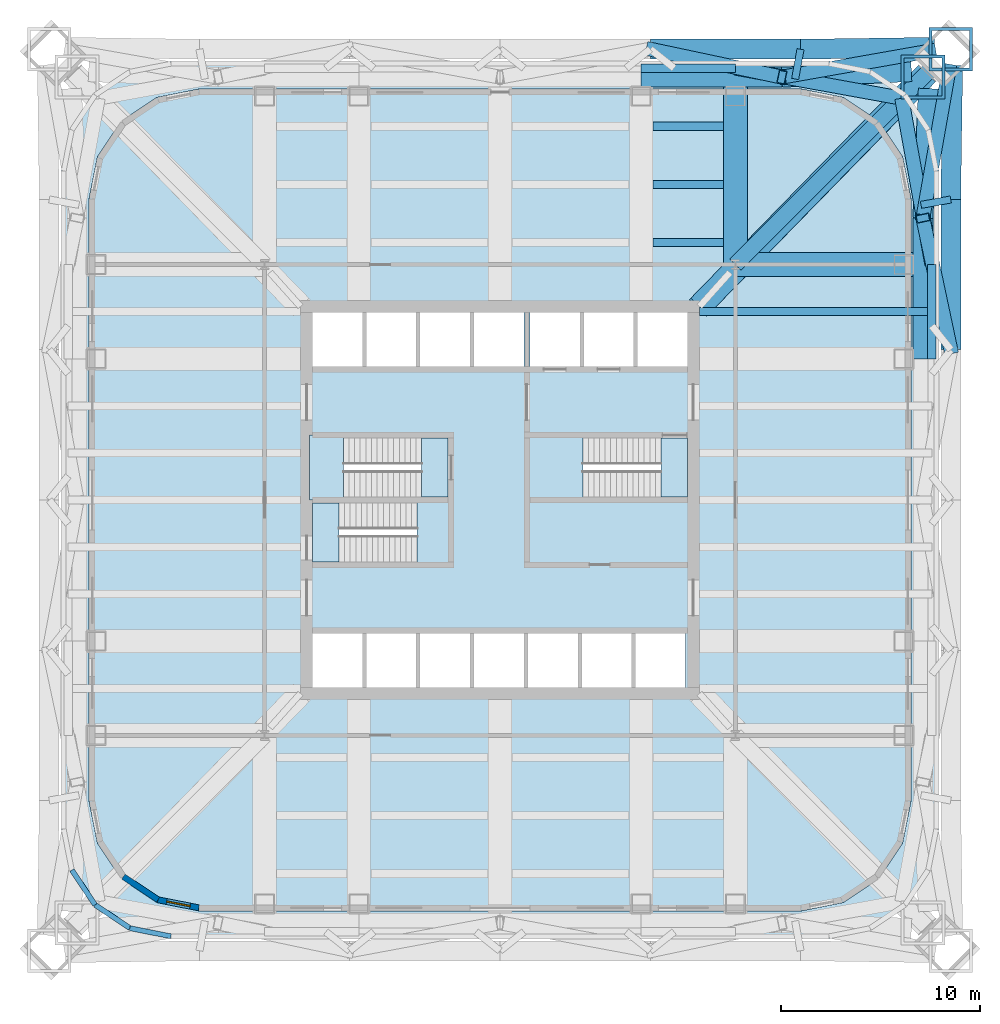
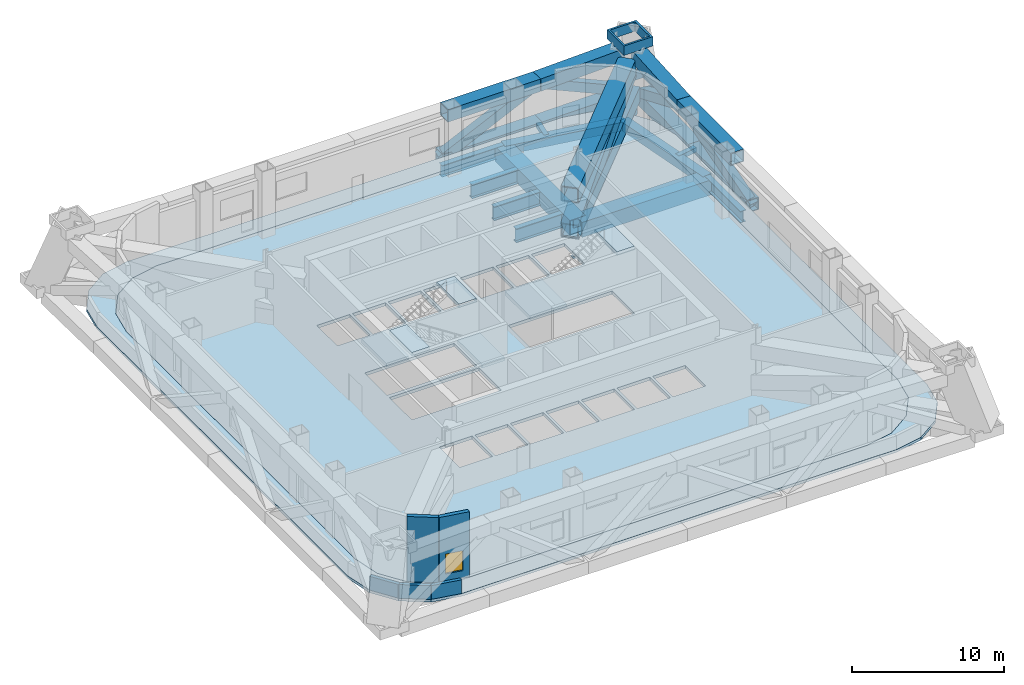
# One storey, part 4 of 9: 23 beams, 8 slabs, 7 members, 5 walls, 1 window, 1 opening, 3 elements without a shape of their own.
"""IFC4 building model written with IfcOpenShell, lengths in metres."""

from ifc_helpers import new_model, si_unit, direction, frame, frame_2d, origin, origin_2d, place, context, subcontext, project, spatial, polyline, rectangle, hollow_rectangle, i_section, outline, extrude, material, layer, layer_set, material_profile, profile_set, type_object, element, fill, aggregate, save


model = new_model("IFC4")

# Units and contexts
model_context = context("Model", 3, precision=1e-05, world=origin(), true_north=direction((0.0, 1.0)))
body_context = subcontext(model_context, "Body", "Model", "MODEL_VIEW")
ifc_project = project(units=[si_unit("LENGTHUNIT", "METRE"), si_unit("AREAUNIT", "SQUARE_METRE"), si_unit("VOLUMEUNIT", "CUBIC_METRE"), si_unit("PLANEANGLEUNIT", "RADIAN"), si_unit("MASSUNIT", "GRAM", prefix="KILO")], contexts=[model_context])

# Site, building, storey
site_placement = place(None, origin())
site = spatial("IfcSite", under=ifc_project, at=site_placement, CompositionType="ELEMENT")
building_placement = place(site_placement, origin())
building = spatial("IfcBuilding", under=site, at=building_placement, Name="Turquesa Mirador Hotel Tower", CompositionType="ELEMENT")
storey_placement = place(building_placement, frame((0.0, 0.0, 88.0)))
storey = spatial("IfcBuildingStorey", under=building, at=storey_placement, Name="L23", CompositionType="ELEMENT", Elevation=88.0)

# Beams
ifc_material_1 = material(Name="Steel ASTM A572 Grade 50", Category="steel")
ifc_material_profile_1 = material_profile(ifc_material_1, hollow_rectangle(XDim=1.199951171875, YDim=1.199951171875, WallThickness=0.06005859375, at=origin_2d()), Name="BOX1200X1200X60")
ifc_profile_set_1 = profile_set([ifc_material_profile_1], Name="Steel ASTM A572 Grade 50")
beam_type_1 = type_object("IfcBeamType", Name="BEAM BOX1200X1200X60", PredefinedType="BEAM", material=ifc_profile_set_1)
for number, where, z_axis, x_axis, name in (
    (1, (66.800048828125, 66.64990234375, -0.85009765625), (0.0, -1.0, 0.0), (1.0, 0.0, 0.0), "GK-L23-N-+11.80"),
    (2, (76.64990234375, 56.800048828125, -0.85009765625), (-1.0, 0.0, 0.0), (0.0, -1.0, 0.0), "GK-L23-E-+11.80"),
):
    element("IfcBeam", number, at=place(storey_placement, frame(where, z_axis=z_axis, x_axis=x_axis)), inside=storey, type_object=beam_type_1, Name=name, PredefinedType="BEAM", context=body_context, shape_type="SweptSolid", body=[
        extrude(hollow_rectangle(XDim=1.199951171875, YDim=1.199951171875, WallThickness=0.06005859375, at=origin_2d()), origin(), (0.0, 0.0, 1.0), 9.849853515625),
    ])
ifc_material_2 = material(Name="Steel ASTM A572 Grade 50", Category="steel")
ifc_material_profile_2 = material_profile(ifc_material_2, hollow_rectangle(XDim=0.699951171875, YDim=0.699951171875, WallThickness=0.044921875, at=origin_2d()), Name="BOX700X700X45")
ifc_profile_set_2 = profile_set([ifc_material_profile_2], Name="Steel ASTM A572 Grade 50")
beam_type_2 = type_object("IfcBeamType", Name="BEAM BOX700X700X45", PredefinedType="BEAM", material=ifc_profile_set_2)
for number, where, z_axis, x_axis, name in (
    (3, (76.64990234375, 56.800048828125, -0.60009765625), (-0.177932387818, 0.984042715214, 0.0), (-0.984042715214, -0.177932387818, 0.0), "KE-L23-1-0"),
    (4, (75.1416015625, 65.1416015625, -0.60009765625), (-0.984042715214, 0.177932387818, 0.0), (-0.177932387818, -0.984042715214, 0.0), "KE-L23-1-1"),
):
    element("IfcBeam", number, at=place(storey_placement, frame(where, z_axis=z_axis, x_axis=x_axis)), inside=storey, type_object=beam_type_2, Name=name, PredefinedType="BEAM", context=body_context, shape_type="SweptSolid", body=[
        extrude(hollow_rectangle(XDim=0.699951171875, YDim=0.699951171875, WallThickness=0.044921875, at=origin_2d()), origin(), (0.0, 0.0, 1.0), 8.476806640625),
    ])
ifc_material_3 = material(Name="Steel ASTM A572 Grade 50", Category="steel")
ifc_material_profile_3 = material_profile(ifc_material_3, hollow_rectangle(XDim=0.800048828125, YDim=0.800048828125, WallThickness=0.050048828125, at=origin_2d()), Name="BOX800X800X50")
ifc_profile_set_3 = profile_set([ifc_material_profile_3], Name="Steel ASTM A572 Grade 50")
beam_type_3 = type_object("IfcBeamType", Name="BEAM BOX800X800X50", PredefinedType="BEAM", material=ifc_profile_set_3)
beam_1_placement = place(storey_placement, frame((66.800048828125, 56.800048828125, -0.64990234375), z_axis=(0.707106781187, 0.707106781187, 0.0), x_axis=(-0.707106781187, 0.707106781187, 0.0)))
element("IfcBeam", 5, at=beam_1_placement, inside=storey, type_object=beam_type_3, Name="KD-L23-1", PredefinedType="BEAM", context=body_context, shape_type="SweptSolid", body=[
    extrude(hollow_rectangle(XDim=0.800048828125, YDim=0.800048828125, WallThickness=0.050048828125, at=origin_2d()), origin(), (0.0, 0.0, 1.0), 13.78857421875),
])
ifc_material_4 = material(Name="Steel ASTM A992 Grade 50", Category="steel")
ifc_material_profile_4 = material_profile(ifc_material_4, i_section(OverallWidth=0.419189453125, OverallDepth=0.927001953125, WebThickness=0.019287109375, FlangeThickness=0.031982421875, at=origin_2d()), Name="W36X231")
ifc_profile_set_4 = profile_set([ifc_material_profile_4], Name="Steel ASTM A992 Grade 50")
beam_type_4 = type_object("IfcBeamType", Name="BEAM W36X231", PredefinedType="BEAM", material=ifc_profile_set_4)
for number, where, z_axis, x_axis, name in (
    (6, (62.080078125, 66.64990234375, -0.713623046875), (1.0, 0.0, 0.0), (0.0, 1.0, 0.0), "EB-L23-N-R"),
    (7, (76.64990234375, 52.080078125, -0.713623046875), (0.0, 1.0, 0.0), (-1.0, 0.0, 0.0), "EB-L23-E-R"),
):
    element("IfcBeam", number, at=place(storey_placement, frame(where, z_axis=z_axis, x_axis=x_axis)), inside=storey, type_object=beam_type_4, Name=name, PredefinedType="BEAM", context=body_context, shape_type="SweptSolid", body=[
        extrude(i_section(OverallWidth=0.419189453125, OverallDepth=0.927001953125, WebThickness=0.019287109375, FlangeThickness=0.031982421875, at=origin_2d()), origin(), (0.0, 0.0, 1.0), 4.719970703125),
    ])
ifc_material_5 = material(Name="Steel ASTM A992 Grade 50", Category="steel")
ifc_material_profile_5 = material_profile(ifc_material_5, i_section(OverallWidth=0.40380859375, OverallDepth=1.11767578125, WebThickness=0.026123046875, FlangeThickness=0.044921875, at=origin_2d()), Name="W44X335")
ifc_profile_set_5 = profile_set([ifc_material_profile_5], Name="Steel ASTM A992 Grade 50")
beam_type_5 = type_object("IfcBeamType", Name="BEAM W44X335", PredefinedType="BEAM", material=ifc_profile_set_5)
for number, where, z_axis, x_axis, name in (
    (8, (62.679931640625, 57.912109375, -0.808837890625), (1.0, 0.0, 0.0), (0.0, 1.0, 0.0), "IB-L23-N-1-3"),
    (9, (62.679931640625, 60.824951171875, -0.808837890625), (1.0, 0.0, 0.0), (0.0, 1.0, 0.0), "IB-L23-N-2-3"),
    (10, (62.679931640625, 63.737060546875, -0.808837890625), (1.0, 0.0, 0.0), (0.0, 1.0, 0.0), "IB-L23-N-3-3"),
):
    element("IfcBeam", number, at=place(storey_placement, frame(where, z_axis=z_axis, x_axis=x_axis)), inside=storey, type_object=beam_type_5, Name=name, PredefinedType="BEAM", context=body_context, shape_type="SweptSolid", body=[
        extrude(i_section(OverallWidth=0.40380859375, OverallDepth=1.11767578125, WebThickness=0.026123046875, FlangeThickness=0.044921875, at=origin_2d()), origin(), (0.0, 0.0, 1.0), 3.52001953125),
    ])
beam_2_placement = place(storey_placement, frame((76.64990234375, 54.43994140625, -0.808837890625), z_axis=(-1.0, 0.0, 0.0), x_axis=(0.0, -1.0, 0.0)))
element("IfcBeam", 11, at=beam_2_placement, inside=storey, type_object=beam_type_5, Name="BM-L23-E-+9.44", PredefinedType="BEAM", context=body_context, shape_type="SweptSolid", body=[
    extrude(i_section(OverallWidth=0.40380859375, OverallDepth=1.11767578125, WebThickness=0.026123046875, FlangeThickness=0.044921875, at=origin_2d()), origin(), (0.0, 0.0, 1.0), 11.64990234375),
])
ifc_material_6 = material(Name="Steel ASTM A572 Grade 50", Category="steel")
ifc_material_profile_6 = material_profile(ifc_material_6, hollow_rectangle(XDim=1.0, YDim=1.0, WallThickness=0.06005859375, at=origin_2d()), Name="BOX1000X1000X60")
ifc_profile_set_6 = profile_set([ifc_material_profile_6], Name="Steel ASTM A572 Grade 50")
beam_type_6 = type_object("IfcBeamType", Name="BELT TRUSS CHORD BOX1000X1000X60", PredefinedType="BEAM", material=ifc_profile_set_6)
beam_3_placement = place(storey_placement, frame((62.533447265625, 67.60009765625, -0.427734375), z_axis=(1.0, 0.0, 0.0), x_axis=(0.0, 1.0, 0.0)))
element("IfcBeam", 12, at=beam_3_placement, inside=storey, type_object=beam_type_6, Name="Belt truss bottom chord N", PredefinedType="BEAM", context=body_context, shape_type="SweptSolid", body=[
    extrude(hollow_rectangle(XDim=1.0, YDim=1.0, WallThickness=0.06005859375, at=origin_2d()), origin(), (0.0, 0.0, 1.0), 7.533203125),
])
beam_4_placement = place(storey_placement, frame((62.066650390625, 66.199951171875, 4.199951171875), z_axis=(1.0, 0.0, 0.0), x_axis=(0.0, 1.0, 0.0)))
element("IfcBeam", 13, at=beam_4_placement, inside=storey, type_object=beam_type_6, Name="Belt truss top chord N", PredefinedType="BEAM", context=body_context, shape_type="SweptSolid", body=[
    extrude(hollow_rectangle(XDim=1.0, YDim=1.0, WallThickness=0.06005859375, at=origin_2d()), origin(), (0.0, 0.0, 1.0), 7.066650390625),
])
beam_5_placement = place(storey_placement, frame((70.066650390625, 67.60009765625, -0.427734375), z_axis=(0.999895171784, 0.014479138185, 0.0), x_axis=(-0.014479138185, 0.999895171784, 0.0)))
element("IfcBeam", 14, at=beam_5_placement, inside=storey, type_object=beam_type_6, Name="Belt truss bottom chord N", PredefinedType="BEAM", context=body_context, shape_type="SweptSolid", body=[
    extrude(hollow_rectangle(XDim=1.0, YDim=1.0, WallThickness=0.06005859375, at=origin_2d()), origin(), (0.0, 0.0, 1.0), 6.727783203125),
])
beam_6_placement = place(storey_placement, frame((69.13330078125, 66.199951171875, 4.199951171875), z_axis=(0.999111122938, 0.042154051064, 0.0), x_axis=(-0.042154051064, 0.999111122938, 0.0)))
element("IfcBeam", 15, at=beam_6_placement, inside=storey, type_object=beam_type_6, Name="Belt truss top chord N", PredefinedType="BEAM", context=body_context, shape_type="SweptSolid", body=[
    extrude(hollow_rectangle(XDim=1.0, YDim=1.0, WallThickness=0.06005859375, at=origin_2d()), origin(), (0.0, 0.0, 1.0), 6.498291015625),
])
beam_7_placement = place(storey_placement, frame((77.60009765625, 52.533447265625, -0.427734375), z_axis=(0.0, 1.0, 0.0), x_axis=(-1.0, 0.0, 0.0)))
element("IfcBeam", 16, at=beam_7_placement, inside=storey, type_object=beam_type_6, Name="Belt truss bottom chord E", PredefinedType="BEAM", context=body_context, shape_type="SweptSolid", body=[
    extrude(hollow_rectangle(XDim=1.0, YDim=1.0, WallThickness=0.06005859375, at=origin_2d()), origin(), (0.0, 0.0, 1.0), 7.533203125),
])
beam_8_placement = place(storey_placement, frame((76.199951171875, 52.066650390625, 4.199951171875), z_axis=(0.0, 1.0, 0.0), x_axis=(-1.0, 0.0, 0.0)))
element("IfcBeam", 17, at=beam_8_placement, inside=storey, type_object=beam_type_6, Name="Belt truss top chord E", PredefinedType="BEAM", context=body_context, shape_type="SweptSolid", body=[
    extrude(hollow_rectangle(XDim=1.0, YDim=1.0, WallThickness=0.06005859375, at=origin_2d()), origin(), (0.0, 0.0, 1.0), 7.066650390625),
])
beam_9_placement = place(storey_placement, frame((77.60009765625, 60.066650390625, -0.427734375), z_axis=(0.014479138185, 0.999895171784, 0.0), x_axis=(-0.999895171784, 0.014479138185, 0.0)))
element("IfcBeam", 18, at=beam_9_placement, inside=storey, type_object=beam_type_6, Name="Belt truss bottom chord E", PredefinedType="BEAM", context=body_context, shape_type="SweptSolid", body=[
    extrude(hollow_rectangle(XDim=1.0, YDim=1.0, WallThickness=0.06005859375, at=origin_2d()), origin(), (0.0, 0.0, 1.0), 6.727783203125),
])
beam_10_placement = place(storey_placement, frame((76.199951171875, 59.13330078125, 4.199951171875), z_axis=(0.042154051064, 0.999111122938, 0.0), x_axis=(-0.999111122938, 0.042154051064, 0.0)))
element("IfcBeam", 19, at=beam_10_placement, inside=storey, type_object=beam_type_6, Name="Belt truss top chord E", PredefinedType="BEAM", context=body_context, shape_type="SweptSolid", body=[
    extrude(hollow_rectangle(XDim=1.0, YDim=1.0, WallThickness=0.06005859375, at=origin_2d()), origin(), (0.0, 0.0, 1.0), 6.498291015625),
])

# Members
ifc_material_7 = material(Name="Steel ASTM A572 Grade 50", Category="steel")
ifc_material_profile_7 = material_profile(ifc_material_7, hollow_rectangle(XDim=0.699951171875, YDim=0.699951171875, WallThickness=0.044921875, at=origin_2d()), Name="BOX700X700X45")
ifc_profile_set_7 = profile_set([ifc_material_profile_7], Name="Steel ASTM A572 Grade 50")
member_type_1 = type_object("IfcMemberType", Name="BELT TRUSS DIAGONAL BOX700X700X45", PredefinedType="BRACE", material=ifc_profile_set_7)
member_1_placement = place(storey_placement, frame((62.533447265625, 67.60009765625, -0.427734375), z_axis=(0.806698164077, -0.171139495098, 0.565640650319), x_axis=(0.207529392542, 0.978228782664, 0.0)))
element("IfcMember", 20, at=member_1_placement, inside=storey, type_object=member_type_1, Name="Belt truss diagonal N", PredefinedType="BRACE", context=body_context, shape_type="SweptSolid", body=[
    extrude(hollow_rectangle(XDim=0.699951171875, YDim=0.699951171875, WallThickness=0.044921875, at=origin_2d()), origin(), (0.0, 0.0, 1.0), 8.181396484375),
])
member_2_placement = place(storey_placement, frame((69.13330078125, 66.199951171875, 4.199951171875), z_axis=(0.869692632776, 0.153190571127, -0.469219962719), x_axis=(-0.17347277854, 0.984838664506, 0.0)))
element("IfcMember", 21, at=member_2_placement, inside=storey, type_object=member_type_1, Name="Belt truss diagonal N", PredefinedType="BRACE", context=body_context, shape_type="SweptSolid", body=[
    extrude(hollow_rectangle(XDim=0.699951171875, YDim=0.699951171875, WallThickness=0.044921875, at=origin_2d()), origin(), (0.0, 0.0, 1.0), 8.67919921875),
])
member_3_placement = place(storey_placement, frame((77.60009765625, 52.533447265625, -0.427734375), z_axis=(-0.171139495098, 0.806698164077, 0.565640650319), x_axis=(-0.978228782664, -0.207529392542, 0.0)))
element("IfcMember", 22, at=member_3_placement, inside=storey, type_object=member_type_1, Name="Belt truss diagonal E", PredefinedType="BRACE", context=body_context, shape_type="SweptSolid", body=[
    extrude(hollow_rectangle(XDim=0.699951171875, YDim=0.699951171875, WallThickness=0.044921875, at=origin_2d()), origin(), (0.0, 0.0, 1.0), 8.181396484375),
])
member_4_placement = place(storey_placement, frame((76.199951171875, 59.13330078125, 4.199951171875), z_axis=(0.153190571127, 0.869692632776, -0.469219962719), x_axis=(-0.984838664506, 0.17347277854, 0.0)))
element("IfcMember", 23, at=member_4_placement, inside=storey, type_object=member_type_1, Name="Belt truss diagonal E", PredefinedType="BRACE", context=body_context, shape_type="SweptSolid", body=[
    extrude(hollow_rectangle(XDim=0.699951171875, YDim=0.699951171875, WallThickness=0.044921875, at=origin_2d()), origin(), (0.0, 0.0, 1.0), 8.67919921875),
])

# Beams
ifc_material_8 = material(Name="Steel ASTM A500 Grade C", Category="steel")
ifc_material_profile_8 = material_profile(ifc_material_8, hollow_rectangle(XDim=0.355712890625, YDim=0.355712890625, WallThickness=0.0146484375, at=origin_2d()), Name="HSS14X14X5/8")
ifc_profile_set_8 = profile_set([ifc_material_profile_8], Name="Steel ASTM A500 Grade C")
beam_type_7 = type_object("IfcBeamType", Name="BRACE STRUT HSS14X14X5/8", PredefinedType="BEAM", material=ifc_profile_set_8)
for number, where, z_axis, x_axis, name in (
    (24, (70.066650390625, 67.60009765625, -0.427734375), (-0.177935933856, -0.984042074021, 0.0), (0.984042074021, -0.177935933856, 0.0), "Brace strut"),
    (25, (77.60009765625, 60.066650390625, -0.427734375), (-0.984042074021, -0.177935933856, 0.0), (0.177935933856, -0.984042074021, 0.0), "Brace strut"),
):
    element("IfcBeam", number, at=place(storey_placement, frame(where, z_axis=z_axis, x_axis=x_axis)), inside=storey, type_object=beam_type_7, Name=name, PredefinedType="BEAM", context=body_context, shape_type="SweptSolid", body=[
        extrude(hollow_rectangle(XDim=0.355712890625, YDim=0.355712890625, WallThickness=0.0146484375, at=origin_2d()), origin(), (0.0, 0.0, 1.0), 1.51611328125),
    ])

# Members
ifc_material_9 = material(Name="Cast steel ASTM A958 Grade SC8620 Class 80/50", Category="steel")
ifc_material_profile_9 = material_profile(ifc_material_9, hollow_rectangle(XDim=2.199951171875, YDim=2.199951171875, WallThickness=0.14990234375, at=origin_2d()), Name="NODE2200X2200X150")
ifc_profile_set_9 = profile_set([ifc_material_profile_9], Name="Cast steel ASTM A958 Grade SC8620 Class 80/50")
member_type_2 = type_object("IfcMemberType", Name="MEGA COLUMN NODE NODE2200X2200X150", PredefinedType="USERDEFINED", material=ifc_profile_set_9)
for number, where, z_axis, x_axis, name in (
    (26, (77.60009765625, 67.60009765625, -0.215576171875), (0.0, 0.0, 1.0), (1.0, 0.0, 0.0), "Mega column node M1 base"),
    (27, (76.199951171875, 66.199951171875, 4.85498046875), (0.0, 0.0, 1.0), (1.0, 0.0, 0.0), "Mega column node M1 head"),
):
    element("IfcMember", number, at=place(storey_placement, frame(where, z_axis=z_axis, x_axis=x_axis)), inside=storey, type_object=member_type_2, Name=name, ObjectType="MEGA COLUMN NODE", PredefinedType="USERDEFINED", context=body_context, shape_type="SweptSolid", body=[
        extrude(hollow_rectangle(XDim=2.199951171875, YDim=2.199951171875, WallThickness=0.14990234375, at=origin_2d()), origin(), (0.0, 0.0, 1.0), 0.760498046875),
    ])

# Beams
ifc_material_10 = material(Name="Steel ASTM A572 Grade 50", Category="steel")
ifc_material_profile_10 = material_profile(ifc_material_10, hollow_rectangle(XDim=1.199951171875, YDim=1.199951171875, WallThickness=0.080078125, at=origin_2d()), Name="BOX1200X1200X80")
ifc_profile_set_10 = profile_set([ifc_material_profile_10], Name="Steel ASTM A572 Grade 50")
beam_type_8 = type_object("IfcBeamType", Name="OUTRIGGER CHORD BOX1200X1200X80", PredefinedType="BEAM", material=ifc_profile_set_10)
beam_11_placement = place(storey_placement, frame((65.0, 54.699951171875, 0.64990234375), z_axis=(0.698622767972, 0.71549020124, 0.0), x_axis=(-0.71549020124, 0.698622767972, 0.0)))
element("IfcBeam", 28, at=beam_11_placement, inside=storey, type_object=beam_type_8, Name="Outrigger bottom chord 1", PredefinedType="BEAM", context=body_context, shape_type="SweptSolid", body=[
    extrude(hollow_rectangle(XDim=1.199951171875, YDim=1.199951171875, WallThickness=0.080078125, at=origin_2d()), origin(), (0.0, 0.0, 1.0), 16.32666015625),
])
beam_12_placement = place(storey_placement, frame((65.0, 54.699951171875, 3.550048828125), z_axis=(0.69808537712, 0.716014529358, 0.0), x_axis=(-0.716014529358, 0.69808537712, 0.0)))
element("IfcBeam", 29, at=beam_12_placement, inside=storey, type_object=beam_type_8, Name="Outrigger top chord 1", PredefinedType="BEAM", context=body_context, shape_type="SweptSolid", body=[
    extrude(hollow_rectangle(XDim=1.199951171875, YDim=1.199951171875, WallThickness=0.080078125, at=origin_2d()), origin(), (0.0, 0.0, 1.0), 15.2646484375),
])

# Member
ifc_material_11 = material(Name="Steel ASTM A572 Grade 50", Category="steel")
ifc_material_profile_11 = material_profile(ifc_material_11, hollow_rectangle(XDim=1.199951171875, YDim=1.199951171875, WallThickness=0.080078125, at=origin_2d()), Name="BOX1200X1200X80")
ifc_profile_set_11 = profile_set([ifc_material_profile_11], Name="Steel ASTM A572 Grade 50")
member_type_3 = type_object("IfcMemberType", Name="OUTRIGGER DIAGONAL BOX1200X1200X80", PredefinedType="BRACE", material=ifc_profile_set_11)
member_5_placement = place(storey_placement, frame((65.0, 54.699951171875, 0.64990234375), z_axis=(0.687828141596, 0.705493853942, 0.170794817482), x_axis=(-0.716014529358, 0.69808537712, 0.0)))
element("IfcMember", 30, at=member_5_placement, inside=storey, type_object=member_type_3, Name="Outrigger diagonal 1", PredefinedType="BRACE", context=body_context, shape_type="SweptSolid", body=[
    extrude(hollow_rectangle(XDim=1.199951171875, YDim=1.199951171875, WallThickness=0.080078125, at=origin_2d()), origin(), (0.0, 0.0, 1.0), 15.4921875),
])

# Slabs
ifc_material_12 = material(Name="Concrete C35/45", Category="concrete")
ifc_layer_1 = layer(ifc_material_12, 0.25)
ifc_layer_set_1 = layer_set([ifc_layer_1], Name="PLANT FLOOR SLAB 250")
slab_type_1 = type_object("IfcSlabType", Name="PLANT FLOOR SLAB 250", PredefinedType="FLOOR", material=ifc_layer_set_1)
slab_1_placement = place(storey_placement, frame((0.0, 0.0, -0.25)))
element("IfcSlab", 31, at=slab_1_placement, inside=storey, type_object=slab_type_1, Name="Floor slab L23", PredefinedType="FLOOR", context=body_context, shape_type="SweptSolid", body=[
    extrude(outline(polyline([(70.10009765625, 24.39990234375), (72.204833984375, 24.818603515625), (73.989013671875, 26.010986328125), (75.181396484375, 27.795166015625), (75.60009765625, 29.89990234375), (75.60009765625, 60.10009765625), (75.181396484375, 62.204833984375), (73.989013671875, 63.989013671875), (72.204833984375, 65.181396484375), (70.10009765625, 65.60009765625), (39.89990234375, 65.60009765625), (37.795166015625, 65.181396484375), (36.010986328125, 63.989013671875), (34.818603515625, 62.204833984375), (34.39990234375, 60.10009765625), (34.39990234375, 29.89990234375), (34.818603515625, 27.795166015625), (36.010986328125, 26.010986328125), (37.795166015625, 24.818603515625), (39.89990234375, 24.39990234375), (70.10009765625, 24.39990234375)]), holes=[polyline([(45.60009765625, 51.699951171875), (48.10009765625, 51.699951171875), (48.10009765625, 54.39990234375), (45.60009765625, 54.39990234375), (45.60009765625, 51.699951171875)]), polyline([(48.300048828125, 51.699951171875), (50.800048828125, 51.699951171875), (50.800048828125, 54.39990234375), (48.300048828125, 54.39990234375), (48.300048828125, 51.699951171875)]), polyline([(51.0, 51.699951171875), (53.5, 51.699951171875), (53.5, 54.39990234375), (51.0, 54.39990234375), (51.0, 51.699951171875)]), polyline([(53.699951171875, 51.699951171875), (56.199951171875, 51.699951171875), (56.199951171875, 54.39990234375), (53.699951171875, 54.39990234375), (53.699951171875, 51.699951171875)]), polyline([(56.5, 51.699951171875), (59.0, 51.699951171875), (59.0, 54.39990234375), (56.5, 54.39990234375), (56.5, 51.699951171875)]), polyline([(59.199951171875, 51.699951171875), (61.699951171875, 51.699951171875), (61.699951171875, 54.39990234375), (59.199951171875, 54.39990234375), (59.199951171875, 51.699951171875)]), polyline([(45.60009765625, 35.60009765625), (48.10009765625, 35.60009765625), (48.10009765625, 38.300048828125), (45.60009765625, 38.300048828125), (45.60009765625, 35.60009765625)]), polyline([(48.300048828125, 35.60009765625), (50.800048828125, 35.60009765625), (50.800048828125, 38.300048828125), (48.300048828125, 38.300048828125), (48.300048828125, 35.60009765625)]), polyline([(51.0, 35.60009765625), (53.5, 35.60009765625), (53.5, 38.300048828125), (51.0, 38.300048828125), (51.0, 35.60009765625)]), polyline([(53.699951171875, 35.60009765625), (56.199951171875, 35.60009765625), (56.199951171875, 38.300048828125), (53.699951171875, 38.300048828125), (53.699951171875, 35.60009765625)]), polyline([(56.39990234375, 35.60009765625), (58.89990234375, 35.60009765625), (58.89990234375, 38.300048828125), (56.39990234375, 38.300048828125), (56.39990234375, 35.60009765625)]), polyline([(59.10009765625, 35.60009765625), (61.60009765625, 35.60009765625), (61.60009765625, 38.300048828125), (59.10009765625, 38.300048828125), (59.10009765625, 35.60009765625)]), polyline([(61.800048828125, 35.60009765625), (64.300048828125, 35.60009765625), (64.300048828125, 38.300048828125), (61.800048828125, 38.300048828125), (61.800048828125, 35.60009765625)]), polyline([(45.60009765625, 45.14990234375), (52.39990234375, 45.14990234375), (52.39990234375, 48.10009765625), (45.60009765625, 48.10009765625), (45.60009765625, 45.14990234375)]), polyline([(45.60009765625, 41.89990234375), (52.39990234375, 41.89990234375), (52.39990234375, 44.85009765625), (45.60009765625, 44.85009765625), (45.60009765625, 41.89990234375)]), polyline([(56.5, 45.14990234375), (64.39990234375, 45.14990234375), (64.39990234375, 48.10009765625), (56.5, 48.10009765625), (56.5, 45.14990234375)]), polyline([(61.89990234375, 51.699951171875), (64.39990234375, 51.699951171875), (64.39990234375, 54.39990234375), (61.89990234375, 54.39990234375), (61.89990234375, 51.699951171875)])]), origin(), (0.0, 0.0, 1.0), 0.25),
])
ifc_material_13 = material(Name="Concrete C35/45", Category="concrete")
ifc_layer_2 = layer(ifc_material_13, 0.219970703125)
ifc_layer_set_2 = layer_set([ifc_layer_2], Name="ROOF SLAB 220")
slab_type_2 = type_object("IfcSlabType", Name="ROOF SLAB 220", PredefinedType="ROOF", material=ifc_layer_set_2)
slab_2_placement = place(storey_placement, frame((0.0, 0.0, -0.219970703125)))
element("IfcSlab", 32, at=slab_2_placement, inside=storey, type_object=slab_type_2, Name="Maintenance roof L23", PredefinedType="ROOF", context=body_context, shape_type="SweptSolid", body=[
    extrude(outline(polyline([(71.5, 23.0), (73.604736328125, 23.418701171875), (75.38916015625, 24.61083984375), (76.581298828125, 26.395263671875), (77.0, 28.5), (77.0, 61.5), (76.581298828125, 63.604736328125), (75.38916015625, 65.38916015625), (73.604736328125, 66.581298828125), (71.5, 67.0), (38.5, 67.0), (36.395263671875, 66.581298828125), (34.61083984375, 65.38916015625), (33.418701171875, 63.604736328125), (33.0, 61.5), (33.0, 28.5), (33.418701171875, 26.395263671875), (34.61083984375, 24.61083984375), (36.395263671875, 23.418701171875), (38.5, 23.0), (71.5, 23.0)]), holes=[polyline([(70.10009765625, 24.39990234375), (72.204833984375, 24.818603515625), (73.989013671875, 26.010986328125), (75.181396484375, 27.795166015625), (75.60009765625, 29.89990234375), (75.60009765625, 60.10009765625), (75.181396484375, 62.204833984375), (73.989013671875, 63.989013671875), (72.204833984375, 65.181396484375), (70.10009765625, 65.60009765625), (39.89990234375, 65.60009765625), (37.795166015625, 65.181396484375), (36.010986328125, 63.989013671875), (34.818603515625, 62.204833984375), (34.39990234375, 60.10009765625), (34.39990234375, 29.89990234375), (34.818603515625, 27.795166015625), (36.010986328125, 26.010986328125), (37.795166015625, 24.818603515625), (39.89990234375, 24.39990234375), (70.10009765625, 24.39990234375)])]), origin(), (0.0, 0.0, 1.0), 0.219970703125),
])

# Stair, slabs
ifc_material_14 = material(Name="Concrete C35/45", Category="concrete")
stair_type = type_object("IfcStairType", Name="ESCAPE STAIR CORE", PredefinedType="HALF_TURN_STAIR", material=ifc_material_14)
stair_1_placement = place(storey_placement, origin())
stair_1 = element("IfcStair", 33, at=stair_1_placement, inside=storey, type_object=stair_type, Name="Stair ST1 L23 to L24", PredefinedType="HALF_TURN_STAIR")
ifc_material_15 = material(Name="Concrete C35/45", Category="concrete")
ifc_layer_3 = layer(ifc_material_15, 0.300048828125)
ifc_layer_set_3 = layer_set([ifc_layer_3], Name="STAIR LANDING 300")
slab_type_3 = type_object("IfcSlabType", Name="STAIR LANDING 300", PredefinedType="LANDING", material=ifc_layer_set_3)
slab_3_placement = place(storey_placement, frame((0.0, 0.0, 2.39990234375)))
slab_3 = element("IfcSlab", 34, at=slab_3_placement, type_object=slab_type_3, Name="ST1 landing 1", PredefinedType="LANDING", context=body_context, shape_type="SweptSolid", body=[
    extrude(outline(polyline([(45.449951171875, 45.0), (47.14990234375, 45.0), (47.14990234375, 48.25), (45.449951171875, 48.25), (45.449951171875, 45.0)])), origin(), (0.0, 0.0, 1.0), 0.300048828125),
])
slab_4_placement = place(storey_placement, frame((0.0, 0.0, 5.10009765625)))
slab_4 = element("IfcSlab", 35, at=slab_4_placement, type_object=slab_type_3, Name="ST1 landing 2", PredefinedType="LANDING", context=body_context, shape_type="SweptSolid", body=[
    extrude(outline(polyline([(51.070068359375, 45.14990234375), (52.39990234375, 45.14990234375), (52.39990234375, 48.10009765625), (51.070068359375, 48.10009765625), (51.070068359375, 45.14990234375)])), origin(), (0.0, 0.0, 1.0), 0.2998046875),
])
aggregate(stair_1, [slab_3, slab_4])

stair_2_placement = place(storey_placement, origin())
stair_2 = element("IfcStair", 36, at=stair_2_placement, inside=storey, type_object=stair_type, Name="Stair ST2 L23 to L24", PredefinedType="HALF_TURN_STAIR")
slab_5_placement = place(storey_placement, frame((0.0, 0.0, 2.39990234375)))
slab_5 = element("IfcSlab", 37, at=slab_5_placement, type_object=slab_type_3, Name="ST2 landing 1", PredefinedType="LANDING", context=body_context, shape_type="SweptSolid", body=[
    extrude(outline(polyline([(52.550048828125, 45.0), (50.85009765625, 45.0), (50.85009765625, 41.75), (52.550048828125, 41.75), (52.550048828125, 45.0)])), origin(), (0.0, 0.0, 1.0), 0.300048828125),
])
slab_6_placement = place(storey_placement, frame((0.0, 0.0, 5.10009765625)))
slab_6 = element("IfcSlab", 38, at=slab_6_placement, type_object=slab_type_3, Name="ST2 landing 2", PredefinedType="LANDING", context=body_context, shape_type="SweptSolid", body=[
    extrude(outline(polyline([(46.929931640625, 44.85009765625), (45.60009765625, 44.85009765625), (45.60009765625, 41.89990234375), (46.929931640625, 41.89990234375), (46.929931640625, 44.85009765625)])), origin(), (0.0, 0.0, 1.0), 0.2998046875),
])
aggregate(stair_2, [slab_5, slab_6])

stair_3_placement = place(storey_placement, origin())
stair_3 = element("IfcStair", 39, at=stair_3_placement, inside=storey, type_object=stair_type, Name="Stair ST3 L23 to L24", PredefinedType="HALF_TURN_STAIR")
slab_7_placement = place(storey_placement, frame((0.0, 0.0, 2.39990234375)))
slab_7 = element("IfcSlab", 40, at=slab_7_placement, type_object=slab_type_3, Name="ST3 landing 1", PredefinedType="LANDING", context=body_context, shape_type="SweptSolid", body=[
    extrude(outline(polyline([(56.35009765625, 45.0), (59.14990234375, 45.0), (59.14990234375, 48.25), (56.35009765625, 48.25), (56.35009765625, 45.0)])), origin(), (0.0, 0.0, 1.0), 0.300048828125),
])
slab_8_placement = place(storey_placement, frame((0.0, 0.0, 5.10009765625)))
slab_8 = element("IfcSlab", 41, at=slab_8_placement, type_object=slab_type_3, Name="ST3 landing 2", PredefinedType="LANDING", context=body_context, shape_type="SweptSolid", body=[
    extrude(outline(polyline([(63.070068359375, 45.14990234375), (64.39990234375, 45.14990234375), (64.39990234375, 48.10009765625), (63.070068359375, 48.10009765625), (63.070068359375, 45.14990234375)])), origin(), (0.0, 0.0, 1.0), 0.2998046875),
])
aggregate(stair_3, [slab_7, slab_8])

# Wall
ifc_material_16 = material(Name="Limestone cladding on concrete block", Category="masonry")
ifc_layer_4 = layer(ifc_material_16, 0.300048828125)
ifc_layer_set_4 = layer_set([ifc_layer_4], Name="LOUVRE WALL 300 STONE")
wall_type_1 = type_object("IfcWallType", Name="LOUVRE WALL 300 STONE", PredefinedType="SOLIDWALL", material=ifc_layer_set_4)
wall_1_placement = place(storey_placement, frame((36.116943359375, 26.116943359375, 0.0), z_axis=(0.0, 0.0, 1.0), x_axis=(0.831474039234, -0.555563607591, 0.0)))
element("IfcWall", 42, at=wall_1_placement, inside=storey, type_object=wall_type_1, Name="Facade wall L23 17", PredefinedType="SOLIDWALL", context=body_context, shape_type="SweptSolid", body=[
    extrude(rectangle(XDim=2.08740234375, YDim=0.300048828125, at=frame_2d((1.043701171875, 0.0))), origin(), (0.0, 0.0, 1.0), 5.22998046875),
])

# Wall, opening, window
wall_2_placement = place(storey_placement, frame((37.8525390625, 24.957275390625, 0.0), z_axis=(0.0, 0.0, 1.0), x_axis=(0.980787050784, -0.195081421501, 0.0)))
wall_2 = element("IfcWall", 43, at=wall_2_placement, inside=storey, type_object=wall_type_1, Name="Facade wall L23 18", PredefinedType="SOLIDWALL", context=body_context, shape_type="SweptSolid", body=[
    extrude(rectangle(XDim=2.08740234375, YDim=0.300048828125, at=frame_2d((1.043701171875, 0.0))), origin(), (0.0, 0.0, 1.0), 5.22998046875),
])
opening_placement = place(wall_2_placement, frame((0.443603515625, 0.0, 0.60009765625)))
opening = element("IfcOpeningElement", 44, at=opening_placement, cuts=wall_2, Name="Opening LV7", PredefinedType="OPENING", context=body_context, shape_type="SweptSolid", body=[
    extrude(rectangle(XDim=1.199951171875, YDim=1.60009765625, at=frame_2d((0.60009765625, 0.800048828125))), frame((0.0, 0.159912109375, 0.0), z_axis=(0.0, -1.0, 0.0), x_axis=(1.0, 0.0, 0.0)), (0.0, 0.0, 1.0), 0.320068359375),
])
ifc_material_17 = material(Name="Aluminium extrusion", Category="aluminium")
window_type = type_object("IfcWindowType", Name="PLANT LOUVRE 1200X1600", PartitioningType="SINGLE_PANEL", PredefinedType="USERDEFINED", material=ifc_material_17)
window_placement = place(opening_placement, origin())
window = element("IfcWindow", 45, at=window_placement, inside=storey, type_object=window_type, Name="Window L23", ObjectType="LOUVRE", OverallHeight=1.60009765625, OverallWidth=1.199951171875, PartitioningType="SINGLE_PANEL", PredefinedType="USERDEFINED", context=body_context, shape_type="SweptSolid", body=[
    extrude(rectangle(XDim=1.199951171875, YDim=1.60009765625, at=frame_2d((0.60009765625, 0.800048828125))), frame((0.0, 0.030029296875, 0.0), z_axis=(0.0, -1.0, 0.0), x_axis=(1.0, 0.0, 0.0)), (0.0, 0.0, 1.0), 0.06005859375),
])
fill(opening, window)

# Walls
ifc_material_18 = material(Name="Limestone cladding on concrete block", Category="masonry")
ifc_layer_5 = layer(ifc_material_18, 0.25)
ifc_layer_set_5 = layer_set([ifc_layer_5], Name="PARAPET 250 STONE")
wall_type_2 = type_object("IfcWallType", Name="PARAPET 250 STONE", PredefinedType="PARAPET", material=ifc_layer_set_5)
for number, where, z_axis, x_axis, name in (
    (46, (33.5341796875, 26.443115234375, 0.0), (0.0, 0.0, 1.0), (0.555505847535, -0.831512629702, 0.0), "Maintenance roof parapet L23"),
    (47, (34.69921875, 24.69921875, 0.0), (0.0, 0.0, 1.0), (0.831512629702, -0.555505847535, 0.0), "Maintenance roof parapet L23"),
    (48, (36.443115234375, 23.5341796875, 0.0), (0.0, 0.0, 1.0), (0.980781642665, -0.195108609271, 0.0), "Maintenance roof parapet L23"),
):
    element("IfcWall", number, at=place(storey_placement, frame(where, z_axis=z_axis, x_axis=x_axis)), inside=storey, type_object=wall_type_2, Name=name, PredefinedType="PARAPET", context=body_context, shape_type="SweptSolid", body=[
        extrude(rectangle(XDim=2.09716796875, YDim=0.25, at=frame_2d((1.048583984375, 0.0))), origin(), (0.0, 0.0, 1.0), 1.10009765625),
    ])

save(model, "model.ifc")
